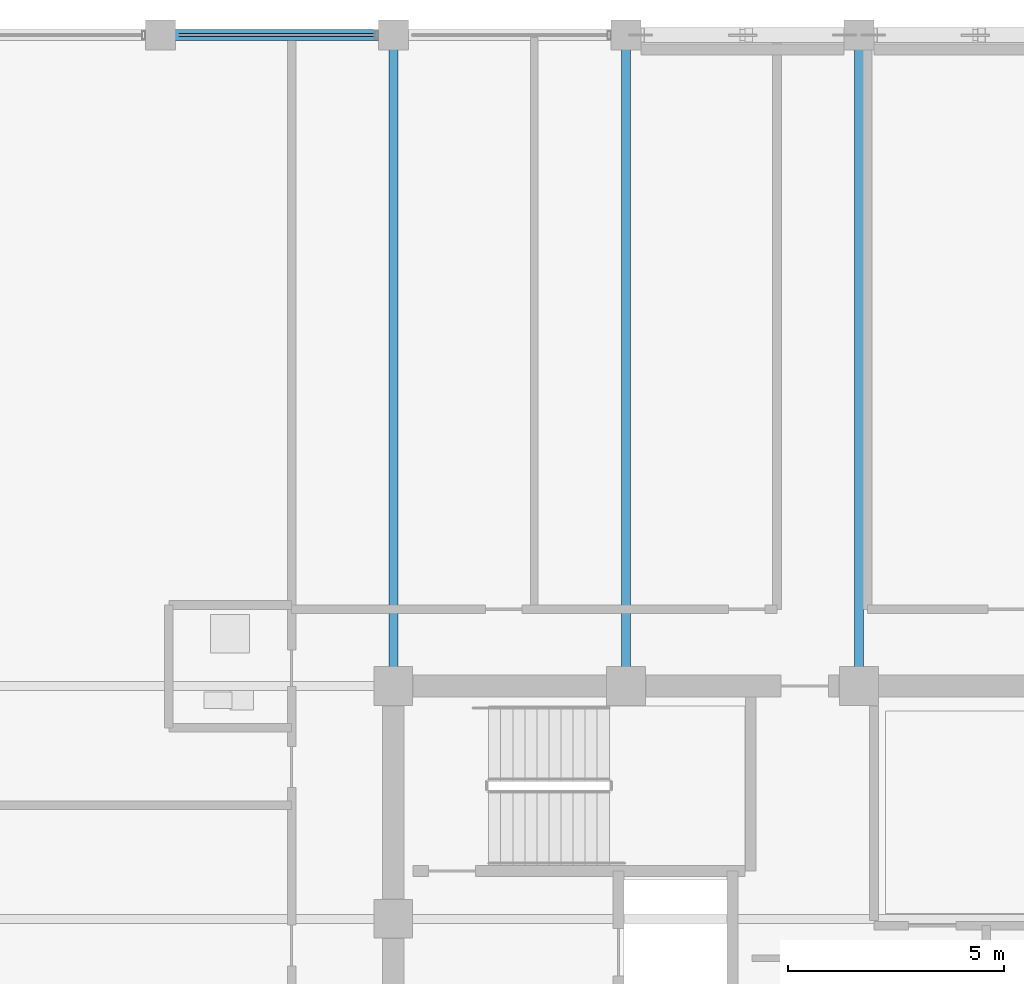
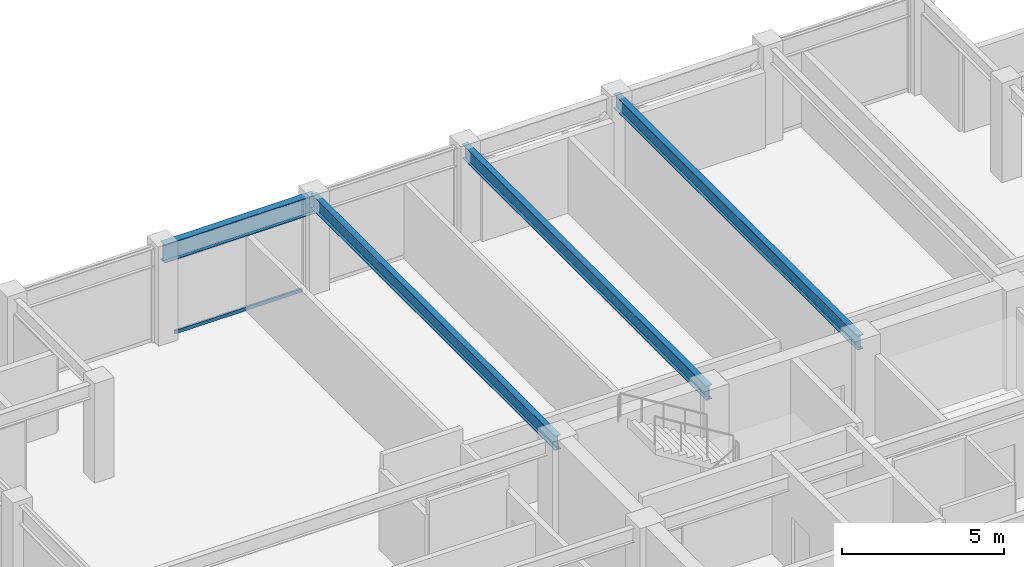
# One storey, part 16 of 30: 4 beams, 1 member, 1 element without a shape of its own.
"""IFC4 building model written with IfcOpenShell, lengths in metres."""

import ifcopenshell
import ifcopenshell.guid

model = None  # the IFC model being written
_history = None  # IfcOwnerHistory: only IFC2X3 demands one
_inside = {}  # id of a spatial element -> (the spatial element, [elements in it])
_under = {}  # id of a project, library or spatial element -> (it, [spatial elements below it])
_declared = {}  # id of a project -> (the project, [libraries it declares])
_typed = {}  # id of a type object -> (the type object, [elements of that type])
_made_of = {}  # id of a material, layer set ... -> (it, [elements and type objects made of it])


def new_model(schema):
    """Start an empty IFC model of exactly this schema.

    Asked for "IFC4X3", IfcOpenShell would pick the latest addendum, in which some entities
    have other attributes; the version numbers below select the first issue.
    IFC2X3 requires an IfcOwnerHistory on every rooted entity: one is made here for all.
    """
    global model, _history
    if schema == "IFC4X3":
        model = ifcopenshell.file(schema_version=(4, 3, 0, 0))
    else:
        model = ifcopenshell.file(schema=schema)
    _inside.clear()
    _under.clear()
    _declared.clear()
    _typed.clear()
    _made_of.clear()
    _history = None
    if model.schema == "IFC2X3":
        org = make("IfcOrganization", Name="unknown")
        user = make(
            "IfcPersonAndOrganization",
            ThePerson=make("IfcPerson", FamilyName="unknown"),
            TheOrganization=org,
        )
        app = make(
            "IfcApplication",
            ApplicationDeveloper=org,
            Version="unknown",
            ApplicationFullName="unknown",
            ApplicationIdentifier="unknown",
        )
        _history = make(
            "IfcOwnerHistory",
            OwningUser=user,
            OwningApplication=app,
            ChangeAction="ADDED",
            CreationDate=0,
        )
    return model


def make(cls, **values):
    """One entity of the class cls with the attributes given. An attribute that is None is left unset."""
    return model.create_entity(
        cls, **{name: value for name, value in values.items() if value is not None}
    )


def rooted(cls, **values):
    """An entity with a GlobalId (a new one), such as an element, a storey or a relation."""
    return make(cls, GlobalId=ifcopenshell.guid.new(), OwnerHistory=_history, **values)


def si_unit(unit_type, name, prefix=None):
    """IfcSIUnit, for example si_unit("LENGTHUNIT", "METRE", prefix="MILLI")."""
    return make("IfcSIUnit", UnitType=unit_type, Prefix=prefix, Name=name)


def assignment(units):
    """IfcUnitAssignment: the units of a project."""
    return None if units is None else make("IfcUnitAssignment", Units=units)


def point(xyz):
    """IfcCartesianPoint."""
    return None if xyz is None else make("IfcCartesianPoint", Coordinates=xyz)


def direction(xyz):
    """IfcDirection."""
    return None if xyz is None else make("IfcDirection", DirectionRatios=xyz)


def frame(location, z_axis=None, x_axis=None):
    """IfcAxis2Placement3D, a coordinate frame: its origin and axes. An axis left out is left unset."""
    return make(
        "IfcAxis2Placement3D",
        Location=point(location),
        Axis=direction(z_axis),
        RefDirection=direction(x_axis),
    )


def frame_2d(location, x_axis=None):
    """IfcAxis2Placement2D, a coordinate frame in the plane: its origin and x axis."""
    return make(
        "IfcAxis2Placement2D", Location=point(location), RefDirection=direction(x_axis)
    )


def origin():
    """The frame at (0, 0, 0) with its axes left unset."""
    return frame((0.0, 0.0, 0.0))


def origin_2d():
    """The frame at (0, 0) in the plane with its x axis left unset."""
    return frame_2d((0.0, 0.0))


def place(relative_to, where):
    """IfcLocalPlacement: puts the frame where relative to a parent placement (None: the world)."""
    return make(
        "IfcLocalPlacement", PlacementRelTo=relative_to, RelativePlacement=where
    )


def context(
    kind, dimensions, precision=None, world=None, true_north=None, identifier=None
):
    """IfcGeometricRepresentationContext, for example the 3D "Model" context."""
    return make(
        "IfcGeometricRepresentationContext",
        ContextIdentifier=identifier,
        ContextType=kind,
        CoordinateSpaceDimension=dimensions,
        Precision=precision,
        WorldCoordinateSystem=world,
        TrueNorth=true_north,
    )


def subcontext(parent, identifier, kind, view, scale=None):
    """IfcGeometricRepresentationSubContext, for example "Body" below "Model"."""
    return make(
        "IfcGeometricRepresentationSubContext",
        ContextIdentifier=identifier,
        ContextType=kind,
        ParentContext=parent,
        TargetScale=scale,
        TargetView=view,
    )


def project(units=None, contexts=None):
    """IfcProject with its units and contexts."""
    return rooted(
        "IfcProject",
        Name="project",
        RepresentationContexts=contexts,
        UnitsInContext=assignment(units),
    )


def spatial(cls, under=None, at=None, **own):
    """A site, building, storey or space (cls), placed at a placement, below another one or the project."""
    s = rooted(cls, ObjectPlacement=at, **own)
    if under is not None:
        _under.setdefault(under.id(), (under, []))[1].append(s)
    return s


def profile(cls, at=None, kind="AREA", **sizes):
    """A parametric profile (cls). Its sizes go by their IFC names, for example OverallWidth=200.0."""
    return make(cls, ProfileType=kind, Position=at, **sizes)


def hollow_rectangle(**sizes):
    """IfcRectangleHollowProfileDef."""
    return profile("IfcRectangleHollowProfileDef", **sizes)


def i_section(**sizes):
    """IfcIShapeProfileDef."""
    return profile("IfcIShapeProfileDef", **sizes)


def extrude(swept, where, along, depth):
    """IfcExtrudedAreaSolid: the profile swept, set in the frame where, extruded along a direction by depth."""
    return make(
        "IfcExtrudedAreaSolid",
        SweptArea=swept,
        Position=where,
        ExtrudedDirection=direction(along),
        Depth=depth,
    )


def shape(context_of_items, identifier, shape_type, items):
    """IfcShapeRepresentation: the items that make up one representation, for example the "Body"."""
    return make(
        "IfcShapeRepresentation",
        ContextOfItems=context_of_items,
        RepresentationIdentifier=identifier,
        RepresentationType=shape_type,
        Items=items,
    )


def material(Name=None, Category=None):
    """IfcMaterial."""
    return make("IfcMaterial", Name=Name, Category=Category)


def layer(
    of_material, thickness, ventilated=None, Name=None, Category=None, Priority=None
):
    """IfcMaterialLayer: one layer of a wall or slab, of a material (None: an air gap)."""
    return make(
        "IfcMaterialLayer",
        Material=of_material,
        LayerThickness=thickness,
        IsVentilated=ventilated,
        Name=Name,
        Category=Category,
        Priority=Priority,
    )


def layer_set(layers, Name=None):
    """IfcMaterialLayerSet."""
    return make("IfcMaterialLayerSet", MaterialLayers=layers, LayerSetName=Name)


def material_profile(
    of_material, cross_section, Name=None, Category=None, Priority=None
):
    """IfcMaterialProfile: a cross section and its material."""
    return make(
        "IfcMaterialProfile",
        Name=Name,
        Material=of_material,
        Profile=cross_section,
        Priority=Priority,
        Category=Category,
    )


def profile_set(profiles, Name=None, composite=None):
    """IfcMaterialProfileSet."""
    return make(
        "IfcMaterialProfileSet",
        Name=Name,
        MaterialProfiles=profiles,
        CompositeProfile=composite,
    )


def made_of(thing, what):
    """Note that an element or type object is made of a material, layer set ...; save() writes the relation."""
    if what is not None:
        _made_of.setdefault(what.id(), (what, []))[1].append(thing)
    return thing


def type_object(cls, material=None, **own):
    """A type object (cls), such as IfcWallType, which elements share."""
    return made_of(rooted(cls, **own), material)


def element(
    cls,
    number,
    at=None,
    inside=None,
    cuts=None,
    type_object=None,
    material=None,
    context=None,
    identifier="Body",
    shape_type=None,
    held_by="IfcProductDefinitionShape",
    body=None,
    shapes=None,
    **own,
):
    """One element of the class cls, such as IfcWall. Its Tag is "e" and its number.

    at: its placement. inside: the storey or other place that contains it. cuts: it is an
    opening in that element (IfcRelVoidsElement). A single representation is given by context,
    identifier, shape_type and body (its items); several are given by shapes. held_by: the class
    of the entity that holds the representations. save() writes the other relations.
    """
    e = rooted(cls, Tag="e%d" % number, ObjectPlacement=at, **own)
    if body is not None:
        shapes = [shape(context, identifier, shape_type, body)]
    if shapes is not None:
        e.Representation = make(held_by, Representations=shapes)
    if inside is not None:
        _inside.setdefault(inside.id(), (inside, []))[1].append(e)
    if cuts is not None:
        rooted(
            "IfcRelVoidsElement", RelatingBuildingElement=cuts, RelatedOpeningElement=e
        )
    if type_object is not None:
        _typed.setdefault(type_object.id(), (type_object, []))[1].append(e)
    return made_of(e, material)


def aggregate(whole, parts):
    """IfcRelAggregates: a whole, such as a stair, and the parts it consists of."""
    return rooted("IfcRelAggregates", RelatingObject=whole, RelatedObjects=parts)


def save(model, path):
    """Write the relations noted so far, then the file.

    IfcRelAggregates (storeys below a building ...), IfcRelContainedInSpatialStructure (elements
    in a storey), IfcRelDefinesByType, IfcRelAssociatesMaterial and IfcRelDeclares: one each for
    every whole, place, type object, material and project.
    """
    for whole, parts in _under.values():
        aggregate(whole, parts)
    for where, things in _inside.values():
        rooted(
            "IfcRelContainedInSpatialStructure",
            RelatedElements=things,
            RelatingStructure=where,
        )
    for kind, things in _typed.values():
        rooted("IfcRelDefinesByType", RelatedObjects=things, RelatingType=kind)
    for what, things in _made_of.values():
        rooted("IfcRelAssociatesMaterial", RelatedObjects=things, RelatingMaterial=what)
    for by, libraries in _declared.values():
        rooted("IfcRelDeclares", RelatingContext=by, RelatedDefinitions=libraries)
    model.write(path)


model = new_model("IFC4")

# Units and contexts
model_context = context("Model", 3, precision=1e-05, world=origin(), true_north=direction((0.0, 1.0)))
body_context = subcontext(model_context, "Body", "Model", "MODEL_VIEW")
ifc_project = project(units=[si_unit("LENGTHUNIT", "METRE"), si_unit("AREAUNIT", "SQUARE_METRE"), si_unit("VOLUMEUNIT", "CUBIC_METRE"), si_unit("PLANEANGLEUNIT", "RADIAN"), si_unit("MASSUNIT", "GRAM", prefix="KILO")], contexts=[model_context])

# Site, building, storey
site_placement = place(None, origin())
site = spatial("IfcSite", under=ifc_project, at=site_placement, CompositionType="ELEMENT")
building_placement = place(site_placement, origin())
building = spatial("IfcBuilding", under=site, at=building_placement, Name="Surkhivell Harbour Commons", CompositionType="ELEMENT")
storey_placement = place(building_placement, frame((0.0, 0.0, 303.75)))
storey = spatial("IfcBuildingStorey", under=building, at=storey_placement, Name="L79", CompositionType="ELEMENT", Elevation=303.75)

# Beams
ifc_material_1 = material(Name="Steel S355", Category="steel")
ifc_material_profile_1 = material_profile(ifc_material_1, i_section(OverallWidth=0.2099609375, OverallDepth=0.537109375, WebThickness=0.0107421875, FlangeThickness=0.017333984375, at=origin_2d()), Name="UB533x210x101")
ifc_profile_set_1 = profile_set([ifc_material_profile_1], Name="Steel S355")
beam_type_1 = type_object("IfcBeamType", Name="BM-GRD-533B", PredefinedType="BEAM", material=ifc_profile_set_1)
for number, where, z_axis, x_axis, name in (
    (1, (-10.800048828125, 10.800048828125, 3.301513671875), (0.0, 1.0, 0.0), (-1.0, 0.0, 0.0), "L79 Floor Girder (-10.8,10.8)"),
    (2, (-5.39990234375, 10.800048828125, 3.301513671875), (0.0, 1.0, 0.0), (-1.0, 0.0, 0.0), "L79 Floor Girder (-5.4,10.8)"),
    (3, (0.0, 10.800048828125, 3.301513671875), (0.0, 1.0, 0.0), (-1.0, 0.0, 0.0), "L79 Floor Girder (0.0,10.8)"),
):
    element("IfcBeam", number, at=place(storey_placement, frame(where, z_axis=z_axis, x_axis=x_axis)), inside=storey, type_object=beam_type_1, Name=name, PredefinedType="BEAM", context=body_context, shape_type="SweptSolid", body=[
        extrude(i_section(OverallWidth=0.2099609375, OverallDepth=0.537109375, WebThickness=0.0107421875, FlangeThickness=0.017333984375, at=origin_2d()), origin(), (0.0, 0.0, 1.0), 15.099853515625),
    ])
ifc_material_profile_2 = material_profile(ifc_material_1, i_section(OverallWidth=0.256103515625, OverallDepth=0.693115234375, WebThickness=0.014404296875, FlangeThickness=0.023681640625, at=origin_2d()), Name="UB686x254x170")
ifc_profile_set_2 = profile_set([ifc_material_profile_2], Name="Steel S355")
beam_type_2 = type_object("IfcBeamType", Name="BM-SPN-686", PredefinedType="SPANDREL", material=ifc_profile_set_2)
beam_placement = place(storey_placement, frame((-16.199951171875, 25.89990234375, 3.223388671875), z_axis=(1.0, 0.0, 0.0), x_axis=(0.0, 1.0, 0.0)))
element("IfcBeam", 4, at=beam_placement, inside=storey, type_object=beam_type_2, Name="L79 Tube Spandrel (-16.2,25.9)", PredefinedType="SPANDREL", context=body_context, shape_type="SweptSolid", body=[
    extrude(i_section(OverallWidth=0.256103515625, OverallDepth=0.693115234375, WebThickness=0.014404296875, FlangeThickness=0.023681640625, at=origin_2d()), origin(), (0.0, 0.0, 1.0), 5.39990234375),
])

# Curtain wall, member
ifc_material_2 = material(Name="Anodised pale-metal aluminium and insulated glazing", Category="aluminium")
ifc_layer = layer(ifc_material_2, 0.175048828125)
ifc_layer_set = layer_set([ifc_layer], Name="Anodised pale-metal aluminium and insulated glazing")
curtain_wall_type = type_object("IfcCurtainWallType", Name="CW-SYS-Z4", PredefinedType="NOTDEFINED", material=ifc_layer_set)
curtain_wall_placement = place(storey_placement, origin())
curtain_wall = element("IfcCurtainWall", 5, at=curtain_wall_placement, inside=storey, type_object=curtain_wall_type, Name="L79 Curtain Wall CW-L79-E07S2", PredefinedType="NOTDEFINED")
ifc_material_3 = material(Name="Champagne anodised aluminium alloy 6063-T6", Category="aluminium")
ifc_material_profile_3 = material_profile(ifc_material_3, hollow_rectangle(XDim=0.070068359375, YDim=0.1298828125, WallThickness=0.00341796875, at=origin_2d()), Name="ALU-TRAN-70x130")
ifc_profile_set_3 = profile_set([ifc_material_profile_3], Name="Champagne anodised aluminium alloy 6063-T6")
member_type = type_object("IfcMemberType", Name="CWT-130", PredefinedType="USERDEFINED", material=ifc_profile_set_3)
member_placement = place(storey_placement, frame((-11.22705078125, 25.89990234375, 0.06494140625), z_axis=(-1.0, 0.0, 0.0), x_axis=(0.0, -1.0, 0.0)))
member = element("IfcMember", 6, at=member_placement, type_object=member_type, Name="CW-Z4 transom 2.1", ObjectType="TRANSOM", PredefinedType="USERDEFINED", context=body_context, shape_type="SweptSolid", body=[
    extrude(hollow_rectangle(XDim=0.070068359375, YDim=0.1298828125, WallThickness=0.00341796875, at=origin_2d()), origin(), (0.0, 0.0, 1.0), 4.5458984375),
])
aggregate(curtain_wall, [member])

save(model, "model.ifc")
